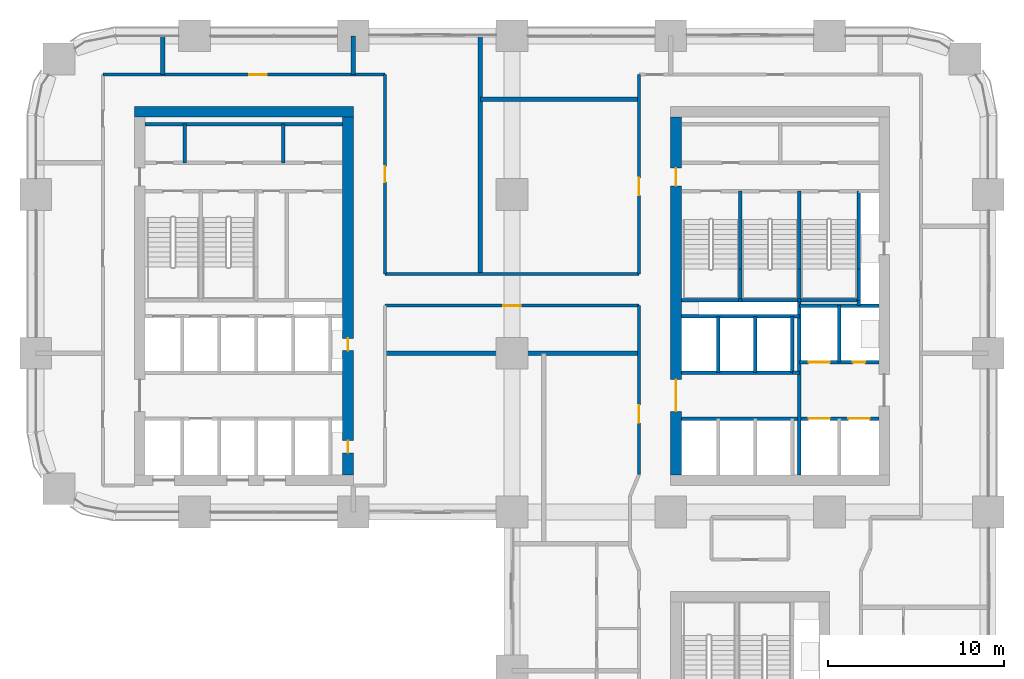
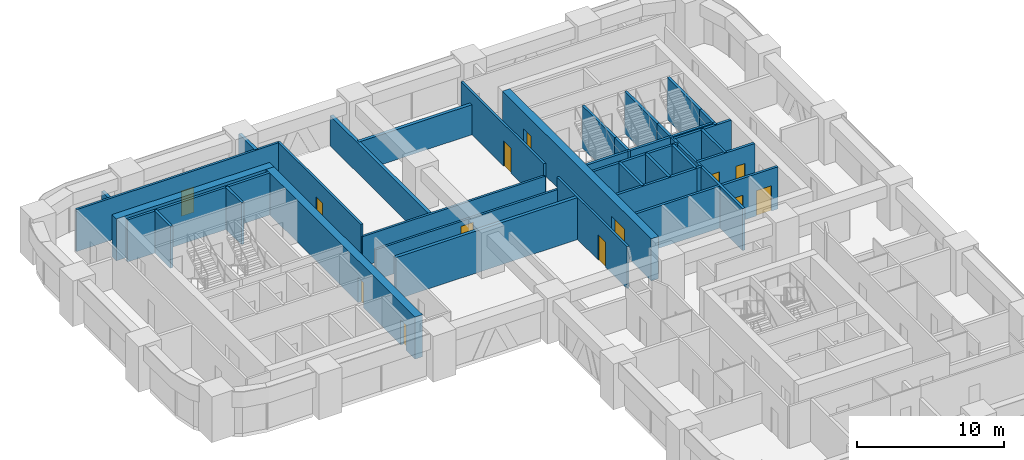
# One storey, part 16 of 24: 40 walls, 13 doors, 13 openings.
"""IFC4 building model written with IfcOpenShell, lengths in metres."""

from ifc_helpers import new_model, si_unit, direction, frame, frame_2d, origin, place, context, subcontext, project, spatial, rectangle, extrude, material, layer, layer_set, type_object, element, fill, save


model = new_model("IFC4")

# Units and contexts
model_context = context("Model", 3, precision=1e-05, world=origin(), true_north=direction((0.0, 1.0)))
body_context = subcontext(model_context, "Body", "Model", "MODEL_VIEW")
ifc_project = project(units=[si_unit("LENGTHUNIT", "METRE"), si_unit("AREAUNIT", "SQUARE_METRE"), si_unit("VOLUMEUNIT", "CUBIC_METRE"), si_unit("PLANEANGLEUNIT", "RADIAN"), si_unit("MASSUNIT", "GRAM", prefix="KILO")], contexts=[model_context])

# Site, building, storey
site_placement = place(None, origin())
site = spatial("IfcSite", under=ifc_project, at=site_placement, CompositionType="ELEMENT")
building_placement = place(site_placement, origin())
building = spatial("IfcBuilding", under=site, at=building_placement, Name="Tessera Arch", CompositionType="ELEMENT")
storey_placement = place(building_placement, frame((0.0, 0.0, 112.0)))
storey = spatial("IfcBuildingStorey", under=building, at=storey_placement, Name="L26", CompositionType="ELEMENT", Elevation=112.0)

# Walls
ifc_material_1 = material(Name="Gypsum board on steel stud", Category="steel")
ifc_layer_1 = layer(ifc_material_1, 0.125)
ifc_layer_set_1 = layer_set([ifc_layer_1], Name="Core partition 125 EI 60")
wall_type_1 = type_object("IfcWallType", Name="Core partition 125 EI 60", PredefinedType="PARTITIONING", material=ifc_layer_set_1)
wall_1_placement = place(storey_placement, frame((42.89990234375, 34.89990234375, 0.0), z_axis=(0.0, 0.0, 1.0), x_axis=(1.0, 0.0, 0.0)))
element("IfcWall", 1, at=wall_1_placement, inside=storey, type_object=wall_type_1, Name="L26 C1 partition wall 19", PredefinedType="PARTITIONING", context=body_context, shape_type="SweptSolid", body=[
    extrude(rectangle(XDim=0.400146484375, YDim=0.199951171875, at=frame_2d((0.2001953125, 0.0))), origin(), (0.0, 0.0, 1.0), 3.5),
])
for number, where, z_axis, x_axis, name in (
    (2, (8.43994140625, 46.800048828125, 0.0), (0.0, 0.0, 1.0), (0.0, 1.0, 0.0), "L26 C2 partition wall 3"),
    (3, (14.0400390625, 46.800048828125, 0.0), (0.0, 0.0, 1.0), (0.0, 1.0, 0.0), "L26 C2 partition wall 12"),
):
    element("IfcWall", number, at=place(storey_placement, frame(where, z_axis=z_axis, x_axis=x_axis)), inside=storey, type_object=wall_type_1, Name=name, PredefinedType="PARTITIONING", context=body_context, shape_type="SweptSolid", body=[
        extrude(rectangle(XDim=2.199951171875, YDim=0.199951171875, at=frame_2d((1.10009765625, 0.0))), origin(), (0.0, 0.0, 1.0), 3.5),
    ])
wall_2_placement = place(storey_placement, frame((6.199951171875, 49.0, 0.0), z_axis=(0.0, 0.0, 1.0), x_axis=(1.0, 0.0, 0.0)))
element("IfcWall", 4, at=wall_2_placement, inside=storey, type_object=wall_type_1, Name="L26 C2 partition wall 28", PredefinedType="PARTITIONING", context=body_context, shape_type="SweptSolid", body=[
    extrude(rectangle(XDim=11.199951171875, YDim=0.199951171875, at=frame_2d((5.60009765625, 0.0))), origin(), (0.0, 0.0, 1.0), 3.5),
])

# Wall, openings, doors
ifc_material_2 = material(Name="Concrete C70/85", Category="concrete")
ifc_layer_2 = layer(ifc_material_2, 0.60009765625)
ifc_layer_set_2 = layer_set([ifc_layer_2], Name="Core shell wall 600 C70-85")
wall_type_2 = type_object("IfcWallType", Name="Core shell wall 600 C70-85", PredefinedType="SHEAR", material=ifc_layer_set_2)
wall_3_placement = place(storey_placement, frame((36.300048828125, 29.10009765625, 0.0), z_axis=(0.0, 0.0, 1.0), x_axis=(0.0, 1.0, 0.0)))
wall_3 = element("IfcWall", 5, at=wall_3_placement, inside=storey, type_object=wall_type_2, Name="L26 C1 core wall W", PredefinedType="SHEAR", context=body_context, shape_type="SweptSolid", body=[
    extrude(rectangle(XDim=20.2998046875, YDim=0.60009765625, at=frame_2d((10.14990234375, 0.0))), origin(), (0.0, 0.0, 1.0), 3.5),
])
opening_1_placement = place(wall_3_placement, frame((3.60009765625, 0.0, 0.0)))
opening_1 = element("IfcOpeningElement", 6, at=opening_1_placement, cuts=wall_3, Name="Opening L26-C04", PredefinedType="OPENING", context=body_context, shape_type="SweptSolid", body=[
    extrude(rectangle(XDim=1.800048828125, YDim=2.10009765625, at=frame_2d((0.89990234375, 1.050048828125))), frame((0.0, 0.31005859375, 0.0), z_axis=(0.0, -1.0, 0.0), x_axis=(1.0, 0.0, 0.0)), (0.0, 0.0, 1.0), 0.6201171875),
])
opening_2_placement = place(wall_3_placement, frame((16.39990234375, 0.0, 0.0)))
opening_2 = element("IfcOpeningElement", 7, at=opening_2_placement, cuts=wall_3, Name="Opening L26-C11", PredefinedType="OPENING", context=body_context, shape_type="SweptSolid", body=[
    extrude(rectangle(XDim=1.0, YDim=2.10009765625, at=frame_2d((0.5, 1.050048828125))), frame((0.0, 0.31005859375, 0.0), z_axis=(0.0, -1.0, 0.0), x_axis=(1.0, 0.0, 0.0)), (0.0, 0.0, 1.0), 0.6201171875),
])
ifc_material_3 = material(Name="Steel door leaf", Category="steel")
door_type_1 = type_object("IfcDoorType", Name="Corridor door FD60 1000 x 2100", OperationType="SINGLE_SWING_LEFT", PredefinedType="DOOR", material=ifc_material_3)
door_1_placement = place(opening_2_placement, origin())
door_1 = element("IfcDoor", 8, at=door_1_placement, inside=storey, type_object=door_type_1, Name="L26 C1 door 11 C11 type D12", OperationType="SINGLE_SWING_RIGHT", OverallHeight=2.10009765625, OverallWidth=1.0, PredefinedType="DOOR", context=body_context, shape_type="SweptSolid", body=[
    extrude(rectangle(XDim=1.0, YDim=2.10009765625, at=frame_2d((0.5, 1.050048828125))), frame((0.0, 0.02490234375, 0.0), z_axis=(0.0, -1.0, 0.0), x_axis=(1.0, 0.0, 0.0)), (0.0, 0.0, 1.0), 0.050048828125),
])
fill(opening_2, door_1)
ifc_material_4 = material(Name="Glazed steel door leaf", Category="steel")
door_type_2 = type_object("IfcDoorType", Name="Lobby double door FD30S 1800 x 2100", OperationType="DOUBLE_DOOR_SINGLE_SWING", PredefinedType="DOOR", material=ifc_material_4)
door_2_placement = place(opening_1_placement, origin())
door_2 = element("IfcDoor", 9, at=door_2_placement, inside=storey, type_object=door_type_2, Name="L26 C1 door 4 C04 type D06", OperationType="DOUBLE_DOOR_SINGLE_SWING", OverallHeight=2.10009765625, OverallWidth=1.800048828125, PredefinedType="DOOR", context=body_context, shape_type="SweptSolid", body=[
    extrude(rectangle(XDim=1.800048828125, YDim=2.10009765625, at=frame_2d((0.89990234375, 1.050048828125))), frame((0.0, 0.02490234375, 0.0), z_axis=(0.0, -1.0, 0.0), x_axis=(1.0, 0.0, 0.0)), (0.0, 0.0, 1.0), 0.050048828125),
])
fill(opening_1, door_2)

# Wall
wall_4_placement = place(storey_placement, frame((5.60009765625, 49.699951171875, 0.0), z_axis=(0.0, 0.0, 1.0), x_axis=(1.0, 0.0, 0.0)))
element("IfcWall", 10, at=wall_4_placement, inside=storey, type_object=wall_type_2, Name="L26 C2 core wall N", PredefinedType="SHEAR", context=body_context, shape_type="SweptSolid", body=[
    extrude(rectangle(XDim=12.39990234375, YDim=0.60009765625, at=frame_2d((6.199951171875, 0.0))), origin(), (0.0, 0.0, 1.0), 3.5),
])

# Wall, openings, doors
wall_5_placement = place(storey_placement, frame((17.699951171875, 29.10009765625, 0.0), z_axis=(0.0, 0.0, 1.0), x_axis=(0.0, 1.0, 0.0)))
wall_5 = element("IfcWall", 11, at=wall_5_placement, inside=storey, type_object=wall_type_2, Name="L26 C2 core wall E", PredefinedType="SHEAR", context=body_context, shape_type="SweptSolid", body=[
    extrude(rectangle(XDim=20.2998046875, YDim=0.60009765625, at=frame_2d((10.14990234375, 0.0))), origin(), (0.0, 0.0, 1.0), 3.5),
])
opening_3_placement = place(wall_5_placement, frame((1.25, 0.0, 0.0)))
opening_3 = element("IfcOpeningElement", 12, at=opening_3_placement, cuts=wall_5, Name="Opening L26-C22", PredefinedType="OPENING", context=body_context, shape_type="SweptSolid", body=[
    extrude(rectangle(XDim=0.699951171875, YDim=2.10009765625, at=frame_2d((0.35009765625, 1.050048828125))), frame((0.0, 0.31005859375, 0.0), z_axis=(0.0, -1.0, 0.0), x_axis=(1.0, 0.0, 0.0)), (0.0, 0.0, 1.0), 0.6201171875),
])
opening_4_placement = place(wall_5_placement, frame((7.050048828125, 0.0, 0.0)))
opening_4 = element("IfcOpeningElement", 13, at=opening_4_placement, cuts=wall_5, Name="Opening L26-C23", PredefinedType="OPENING", context=body_context, shape_type="SweptSolid", body=[
    extrude(rectangle(XDim=0.699951171875, YDim=2.10009765625, at=frame_2d((0.35009765625, 1.050048828125))), frame((0.0, 0.31005859375, 0.0), z_axis=(0.0, -1.0, 0.0), x_axis=(1.0, 0.0, 0.0)), (0.0, 0.0, 1.0), 0.6201171875),
])
ifc_material_5 = material(Name="Steel door leaf", Category="steel")
door_type_3 = type_object("IfcDoorType", Name="Service shaft door FD60 700 x 2100", OperationType="SINGLE_SWING_LEFT", PredefinedType="DOOR", material=ifc_material_5)
door_3_placement = place(opening_3_placement, origin())
door_3 = element("IfcDoor", 14, at=door_3_placement, inside=storey, type_object=door_type_3, Name="L26 C2 door 9 C22 type D07", OperationType="SINGLE_SWING_LEFT", OverallHeight=2.10009765625, OverallWidth=0.699951171875, PredefinedType="DOOR", context=body_context, shape_type="SweptSolid", body=[
    extrude(rectangle(XDim=0.699951171875, YDim=2.10009765625, at=frame_2d((0.35009765625, 1.050048828125))), frame((0.0, 0.02490234375, 0.0), z_axis=(0.0, -1.0, 0.0), x_axis=(1.0, 0.0, 0.0)), (0.0, 0.0, 1.0), 0.050048828125),
])
fill(opening_3, door_3)
door_4_placement = place(opening_4_placement, origin())
door_4 = element("IfcDoor", 15, at=door_4_placement, inside=storey, type_object=door_type_3, Name="L26 C2 door 10 C23 type D07", OperationType="SINGLE_SWING_LEFT", OverallHeight=2.10009765625, OverallWidth=0.699951171875, PredefinedType="DOOR", context=body_context, shape_type="SweptSolid", body=[
    extrude(rectangle(XDim=0.699951171875, YDim=2.10009765625, at=frame_2d((0.35009765625, 1.050048828125))), frame((0.0, 0.02490234375, 0.0), z_axis=(0.0, -1.0, 0.0), x_axis=(1.0, 0.0, 0.0)), (0.0, 0.0, 1.0), 0.050048828125),
])
fill(opening_4, door_4)

# Wall, opening, door
ifc_material_6 = material(Name="Gypsum board on deep steel stud with mineral wool", Category="steel")
ifc_layer_3 = layer(ifc_material_6, 0.175048828125)
ifc_layer_set_3 = layer_set([ifc_layer_3], Name="Corridor wall 175 EI 60")
wall_type_3 = type_object("IfcWallType", Name="Corridor wall 175 EI 60", PredefinedType="PARTITIONING", material=ifc_layer_set_3)
wall_6_placement = place(storey_placement, frame((19.800048828125, 38.699951171875, 0.0), z_axis=(0.0, 0.0, 1.0), x_axis=(1.0, 0.0, 0.0)))
wall_6 = element("IfcWall", 16, at=wall_6_placement, inside=storey, type_object=wall_type_3, Name="L26 partition 7", PredefinedType="PARTITIONING", context=body_context, shape_type="SweptSolid", body=[
    extrude(rectangle(XDim=14.39990234375, YDim=0.175048828125, at=frame_2d((7.199951171875, 0.0))), origin(), (0.0, 0.0, 1.0), 2.5),
])
opening_5_placement = place(wall_6_placement, frame((6.699951171875, 0.0, 0.0)))
opening_5 = element("IfcOpeningElement", 17, at=opening_5_placement, cuts=wall_6, Name="Opening L26-D028", PredefinedType="OPENING", context=body_context, shape_type="SweptSolid", body=[
    extrude(rectangle(XDim=1.0, YDim=2.10009765625, at=frame_2d((0.5, 1.050048828125))), frame((0.0, 0.097412109375, 0.0), z_axis=(0.0, -1.0, 0.0), x_axis=(1.0, 0.0, 0.0)), (0.0, 0.0, 1.0), 0.195068359375),
])
ifc_material_7 = material(Name="Fire-rated door leaf")
door_type_4 = type_object("IfcDoorType", Name="Entrance door FD30S 1000 x 2100", OperationType="SINGLE_SWING_LEFT", PredefinedType="DOOR", material=ifc_material_7)
door_5_placement = place(opening_5_placement, origin())
door_5 = element("IfcDoor", 18, at=door_5_placement, inside=storey, type_object=door_type_4, Name="L26 door D028 type D03", OperationType="SINGLE_SWING_LEFT", OverallHeight=2.10009765625, OverallWidth=1.0, PredefinedType="DOOR", context=body_context, shape_type="SweptSolid", body=[
    extrude(rectangle(XDim=1.0, YDim=2.10009765625, at=frame_2d((0.5, 1.050048828125))), frame((0.0, 0.02490234375, 0.0), z_axis=(0.0, -1.0, 0.0), x_axis=(1.0, 0.0, 0.0)), (0.0, 0.0, 1.0), 0.050048828125),
])
fill(opening_5, door_5)

# Wall
wall_7_placement = place(storey_placement, frame((19.800048828125, 40.5, 0.0), z_axis=(0.0, 0.0, 1.0), x_axis=(1.0, 0.0, 0.0)))
element("IfcWall", 19, at=wall_7_placement, inside=storey, type_object=wall_type_3, Name="L26 partition 8", PredefinedType="PARTITIONING", context=body_context, shape_type="SweptSolid", body=[
    extrude(rectangle(XDim=14.39990234375, YDim=0.175048828125, at=frame_2d((7.199951171875, 0.0))), origin(), (0.0, 0.0, 1.0), 2.5),
])

# Wall, opening, door
wall_8_placement = place(storey_placement, frame((3.800048828125, 51.800048828125, 0.0), z_axis=(0.0, 0.0, 1.0), x_axis=(1.0, 0.0, 0.0)))
wall_8 = element("IfcWall", 20, at=wall_8_placement, inside=storey, type_object=wall_type_3, Name="L26 partition 9", PredefinedType="PARTITIONING", context=body_context, shape_type="SweptSolid", body=[
    extrude(rectangle(XDim=16.0, YDim=0.175048828125, at=frame_2d((8.0, 0.0))), origin(), (0.0, 0.0, 1.0), 3.5),
])
opening_6_placement = place(wall_8_placement, frame((8.297607421875, 0.0, 0.0)))
opening_6 = element("IfcOpeningElement", 21, at=opening_6_placement, cuts=wall_8, Name="Opening L26-D036", PredefinedType="OPENING", context=body_context, shape_type="SweptSolid", body=[
    extrude(rectangle(XDim=1.0, YDim=2.10009765625, at=frame_2d((0.5, 1.050048828125))), frame((0.0, 0.097412109375, 0.0), z_axis=(0.0, -1.0, 0.0), x_axis=(1.0, 0.0, 0.0)), (0.0, 0.0, 1.0), 0.195068359375),
])
door_6_placement = place(opening_6_placement, origin())
door_6 = element("IfcDoor", 22, at=door_6_placement, inside=storey, type_object=door_type_4, Name="L26 door D036 type D03", OperationType="SINGLE_SWING_RIGHT", OverallHeight=2.10009765625, OverallWidth=1.0, PredefinedType="DOOR", context=body_context, shape_type="SweptSolid", body=[
    extrude(rectangle(XDim=1.0, YDim=2.10009765625, at=frame_2d((0.5, 1.050048828125))), frame((0.0, 0.02490234375, 0.0), z_axis=(0.0, -1.0, 0.0), x_axis=(1.0, 0.0, 0.0)), (0.0, 0.0, 1.0), 0.050048828125),
])
fill(opening_6, door_6)

wall_9_placement = place(storey_placement, frame((19.800048828125, 40.5, 0.0), z_axis=(0.0, 0.0, 1.0), x_axis=(0.0, 1.0, 0.0)))
wall_9 = element("IfcWall", 23, at=wall_9_placement, inside=storey, type_object=wall_type_3, Name="L26 partition 13", PredefinedType="PARTITIONING", context=body_context, shape_type="SweptSolid", body=[
    extrude(rectangle(XDim=11.300048828125, YDim=0.175048828125, at=frame_2d((5.64990234375, 0.0))), origin(), (0.0, 0.0, 1.0), 3.5),
])
opening_7_placement = place(wall_9_placement, frame((5.199951171875, 0.0, 0.0)))
opening_7 = element("IfcOpeningElement", 24, at=opening_7_placement, cuts=wall_9, Name="Opening L26-D032", PredefinedType="OPENING", context=body_context, shape_type="SweptSolid", body=[
    extrude(rectangle(XDim=0.89990234375, YDim=2.10009765625, at=frame_2d((0.449951171875, 1.050048828125))), frame((0.0, 0.097412109375, 0.0), z_axis=(0.0, -1.0, 0.0), x_axis=(1.0, 0.0, 0.0)), (0.0, 0.0, 1.0), 0.195068359375),
])
ifc_material_8 = material(Name="Timber door leaf", Category="wood")
door_type_5 = type_object("IfcDoorType", Name="Room door 900 x 2100", OperationType="SINGLE_SWING_LEFT", PredefinedType="DOOR", material=ifc_material_8)
door_7_placement = place(opening_7_placement, origin())
door_7 = element("IfcDoor", 25, at=door_7_placement, inside=storey, type_object=door_type_5, Name="L26 door D032 type D01", OperationType="SINGLE_SWING_LEFT", OverallHeight=2.10009765625, OverallWidth=0.89990234375, PredefinedType="DOOR", context=body_context, shape_type="SweptSolid", body=[
    extrude(rectangle(XDim=0.89990234375, YDim=2.10009765625, at=frame_2d((0.449951171875, 1.050048828125))), frame((0.0, 0.02490234375, 0.0), z_axis=(0.0, -1.0, 0.0), x_axis=(1.0, 0.0, 0.0)), (0.0, 0.0, 1.0), 0.050048828125),
])
fill(opening_7, door_7)

wall_10_placement = place(storey_placement, frame((34.199951171875, 29.1201171875, 0.0), z_axis=(0.0, 0.0, 1.0), x_axis=(0.0, 1.0, 0.0)))
wall_10 = element("IfcWall", 26, at=wall_10_placement, inside=storey, type_object=wall_type_3, Name="L26 partition 16", PredefinedType="PARTITIONING", context=body_context, shape_type="SweptSolid", body=[
    extrude(rectangle(XDim=9.579833984375, YDim=0.175048828125, at=frame_2d((4.7900390625, 0.0))), origin(), (0.0, 0.0, 1.0), 3.5),
])
opening_8_placement = place(wall_10_placement, frame((2.93994140625, 0.0, 0.0)))
opening_8 = element("IfcOpeningElement", 27, at=opening_8_placement, cuts=wall_10, Name="Opening L26-D026", PredefinedType="OPENING", context=body_context, shape_type="SweptSolid", body=[
    extrude(rectangle(XDim=1.0, YDim=2.10009765625, at=frame_2d((0.5, 1.050048828125))), frame((0.0, 0.097412109375, 0.0), z_axis=(0.0, -1.0, 0.0), x_axis=(1.0, 0.0, 0.0)), (0.0, 0.0, 1.0), 0.195068359375),
])
door_8_placement = place(opening_8_placement, origin())
door_8 = element("IfcDoor", 28, at=door_8_placement, inside=storey, type_object=door_type_4, Name="L26 door D026 type D03", OperationType="SINGLE_SWING_RIGHT", OverallHeight=2.10009765625, OverallWidth=1.0, PredefinedType="DOOR", context=body_context, shape_type="SweptSolid", body=[
    extrude(rectangle(XDim=1.0, YDim=2.10009765625, at=frame_2d((0.5, 1.050048828125))), frame((0.0, 0.02490234375, 0.0), z_axis=(0.0, -1.0, 0.0), x_axis=(1.0, 0.0, 0.0)), (0.0, 0.0, 1.0), 0.050048828125),
])
fill(opening_8, door_8)

wall_11_placement = place(storey_placement, frame((34.199951171875, 40.5, 0.0), z_axis=(0.0, 0.0, 1.0), x_axis=(0.0, 1.0, 0.0)))
wall_11 = element("IfcWall", 29, at=wall_11_placement, inside=storey, type_object=wall_type_3, Name="L26 partition 17", PredefinedType="PARTITIONING", context=body_context, shape_type="SweptSolid", body=[
    extrude(rectangle(XDim=11.300048828125, YDim=0.175048828125, at=frame_2d((5.64990234375, 0.0))), origin(), (0.0, 0.0, 1.0), 3.5),
])
opening_9_placement = place(wall_11_placement, frame((4.449951171875, 0.0, 0.0)))
opening_9 = element("IfcOpeningElement", 30, at=opening_9_placement, cuts=wall_11, Name="Opening L26-D031", PredefinedType="OPENING", context=body_context, shape_type="SweptSolid", body=[
    extrude(rectangle(XDim=1.0, YDim=2.10009765625, at=frame_2d((0.5, 1.050048828125))), frame((0.0, 0.097412109375, 0.0), z_axis=(0.0, -1.0, 0.0), x_axis=(1.0, 0.0, 0.0)), (0.0, 0.0, 1.0), 0.195068359375),
])
door_9_placement = place(opening_9_placement, origin())
door_9 = element("IfcDoor", 31, at=door_9_placement, inside=storey, type_object=door_type_4, Name="L26 door D031 type D03", OperationType="SINGLE_SWING_LEFT", OverallHeight=2.10009765625, OverallWidth=1.0, PredefinedType="DOOR", context=body_context, shape_type="SweptSolid", body=[
    extrude(rectangle(XDim=1.0, YDim=2.10009765625, at=frame_2d((0.5, 1.050048828125))), frame((0.0, 0.02490234375, 0.0), z_axis=(0.0, -1.0, 0.0), x_axis=(1.0, 0.0, 0.0)), (0.0, 0.0, 1.0), 0.050048828125),
])
fill(opening_9, door_9)

# Walls
ifc_material_9 = material(Name="Double gypsum board on twin steel stud with acoustic mineral wool", Category="steel")
ifc_layer_4 = layer(ifc_material_9, 0.25)
ifc_layer_set_4 = layer_set([ifc_layer_4], Name="Party wall 250 EI 60")
wall_type_4 = type_object("IfcWallType", Name="Party wall 250 EI 60", PredefinedType="PARTITIONING", material=ifc_layer_set_4)
wall_12_placement = place(storey_placement, frame((19.800048828125, 36.0, 0.0), z_axis=(0.0, 0.0, 1.0), x_axis=(1.0, 0.0, 0.0)))
element("IfcWall", 32, at=wall_12_placement, inside=storey, type_object=wall_type_4, Name="L26 partition 38", PredefinedType="PARTITIONING", context=body_context, shape_type="SweptSolid", body=[
    extrude(rectangle(XDim=14.39990234375, YDim=0.25, at=frame_2d((7.199951171875, 0.0))), origin(), (0.0, 0.0, 1.0), 3.5),
])
wall_13_placement = place(storey_placement, frame((25.199951171875, 50.39990234375, 0.0), z_axis=(0.0, 0.0, 1.0), x_axis=(1.0, 0.0, 0.0)))
element("IfcWall", 33, at=wall_13_placement, inside=storey, type_object=wall_type_4, Name="L26 partition 42", PredefinedType="PARTITIONING", context=body_context, shape_type="SweptSolid", body=[
    extrude(rectangle(XDim=9.0, YDim=0.25, at=frame_2d((4.5, 0.0))), origin(), (0.0, 0.0, 1.0), 2.5),
])
wall_14_placement = place(storey_placement, frame((7.195068359375, 51.800048828125, 0.0), z_axis=(0.0, 0.0, 1.0), x_axis=(0.0, 1.0, 0.0)))
element("IfcWall", 34, at=wall_14_placement, inside=storey, type_object=wall_type_4, Name="L26 partition 43", PredefinedType="PARTITIONING", context=body_context, shape_type="SweptSolid", body=[
    extrude(rectangle(XDim=2.199951171875, YDim=0.25, at=frame_2d((1.10009765625, 0.0))), origin(), (0.0, 0.0, 1.0), 2.5),
])
wall_15_placement = place(storey_placement, frame((18.0, 51.800048828125, 0.0), z_axis=(0.0, 0.0, 1.0), x_axis=(0.0, 1.0, 0.0)))
element("IfcWall", 35, at=wall_15_placement, inside=storey, type_object=wall_type_4, Name="L26 partition 45", PredefinedType="PARTITIONING", context=body_context, shape_type="SweptSolid", body=[
    extrude(rectangle(XDim=2.199951171875, YDim=0.25, at=frame_2d((1.10009765625, 0.0))), origin(), (0.0, 0.0, 1.0), 3.5),
])
wall_16_placement = place(storey_placement, frame((25.199951171875, 40.5, 0.0), z_axis=(0.0, 0.0, 1.0), x_axis=(0.0, 1.0, 0.0)))
element("IfcWall", 36, at=wall_16_placement, inside=storey, type_object=wall_type_4, Name="L26 partition 46", PredefinedType="PARTITIONING", context=body_context, shape_type="SweptSolid", body=[
    extrude(rectangle(XDim=13.5, YDim=0.25, at=frame_2d((6.75, 0.0))), origin(), (0.0, 0.0, 1.0), 2.5),
])
ifc_material_10 = material(Name="Concrete C40/50", Category="concrete")
ifc_layer_5 = layer(ifc_material_10, 0.199951171875)
ifc_layer_set_5 = layer_set([ifc_layer_5], Name="Shaft wall 200 EI 120")
wall_type_5 = type_object("IfcWallType", Name="Shaft wall 200 EI 120", PredefinedType="SOLIDWALL", material=ifc_layer_set_5)
for number, where, z_axis, x_axis, name in (
    (37, (38.699951171875, 34.89990234375, 0.0), (0.0, 0.0, 1.0), (0.0, 1.0, 0.0), "L26 C1 shaft wall 2"),
    (38, (40.800048828125, 34.89990234375, 0.0), (0.0, 0.0, 1.0), (0.0, 1.0, 0.0), "L26 C1 shaft wall 6"),
    (39, (42.89990234375, 34.89990234375, 0.0), (0.0, 0.0, 1.0), (0.0, 1.0, 0.0), "L26 C1 shaft wall 9"),
):
    element("IfcWall", number, at=place(storey_placement, frame(where, z_axis=z_axis, x_axis=x_axis)), inside=storey, type_object=wall_type_5, Name=name, PredefinedType="SOLIDWALL", context=body_context, shape_type="SweptSolid", body=[
        extrude(rectangle(XDim=3.2001953125, YDim=0.199951171875, at=frame_2d((1.60009765625, 0.0))), origin(), (0.0, 0.0, 1.0), 3.5),
    ])
wall_17_placement = place(storey_placement, frame((43.300048828125, 29.10009765625, 0.0), z_axis=(0.0, 0.0, 1.0), x_axis=(0.0, 1.0, 0.0)))
element("IfcWall", 40, at=wall_17_placement, inside=storey, type_object=wall_type_5, Name="L26 C1 shaft wall 10", PredefinedType="SOLIDWALL", context=body_context, shape_type="SweptSolid", body=[
    extrude(rectangle(XDim=9.89990234375, YDim=0.199951171875, at=frame_2d((4.949951171875, 0.0))), origin(), (0.0, 0.0, 1.0), 3.5),
])
wall_18_placement = place(storey_placement, frame((45.550048828125, 35.5, 0.0), z_axis=(0.0, 0.0, 1.0), x_axis=(0.0, 1.0, 0.0)))
element("IfcWall", 41, at=wall_18_placement, inside=storey, type_object=wall_type_5, Name="L26 C1 shaft wall 14", PredefinedType="SOLIDWALL", context=body_context, shape_type="SweptSolid", body=[
    extrude(rectangle(XDim=3.199951171875, YDim=0.199951171875, at=frame_2d((1.60009765625, 0.0))), origin(), (0.0, 0.0, 1.0), 3.5),
])
wall_19_placement = place(storey_placement, frame((46.64990234375, 38.699951171875, 0.0), z_axis=(0.0, 0.0, 1.0), x_axis=(0.0, 1.0, 0.0)))
element("IfcWall", 42, at=wall_19_placement, inside=storey, type_object=wall_type_5, Name="L26 C1 shaft wall 15", PredefinedType="SOLIDWALL", context=body_context, shape_type="SweptSolid", body=[
    extrude(rectangle(XDim=0.300048828125, YDim=0.199951171875, at=frame_2d((0.14990234375, 0.0))), origin(), (0.0, 0.0, 1.0), 3.5),
])

# Wall, openings, doors
wall_20_placement = place(storey_placement, frame((36.60009765625, 32.300048828125, 0.0), z_axis=(0.0, 0.0, 1.0), x_axis=(1.0, 0.0, 0.0)))
wall_20 = element("IfcWall", 43, at=wall_20_placement, inside=storey, type_object=wall_type_5, Name="L26 C1 shaft wall 18", PredefinedType="SOLIDWALL", context=body_context, shape_type="SweptSolid", body=[
    extrude(rectangle(XDim=11.199951171875, YDim=0.199951171875, at=frame_2d((5.60009765625, 0.0))), origin(), (0.0, 0.0, 1.0), 3.5),
])
opening_10_placement = place(wall_20_placement, frame((7.22509765625, 0.0, 0.0)))
opening_10 = element("IfcOpeningElement", 44, at=opening_10_placement, cuts=wall_20, Name="Opening L26-C01", PredefinedType="OPENING", context=body_context, shape_type="SweptSolid", body=[
    extrude(rectangle(XDim=1.199951171875, YDim=2.10009765625, at=frame_2d((0.60009765625, 1.050048828125))), frame((0.0, 0.10986328125, 0.0), z_axis=(0.0, -1.0, 0.0), x_axis=(1.0, 0.0, 0.0)), (0.0, 0.0, 1.0), 0.219970703125),
])
opening_11_placement = place(wall_20_placement, frame((9.47509765625, 0.0, 0.0)))
opening_11 = element("IfcOpeningElement", 45, at=opening_11_placement, cuts=wall_20, Name="Opening L26-C02", PredefinedType="OPENING", context=body_context, shape_type="SweptSolid", body=[
    extrude(rectangle(XDim=1.199951171875, YDim=2.10009765625, at=frame_2d((0.60009765625, 1.050048828125))), frame((0.0, 0.10986328125, 0.0), z_axis=(0.0, -1.0, 0.0), x_axis=(1.0, 0.0, 0.0)), (0.0, 0.0, 1.0), 0.219970703125),
])
ifc_material_11 = material(Name="Stainless steel AISI 304", Category="steel")
door_type_6 = type_object("IfcDoorType", Name="Sliding landing door 1200 x 2100", OperationType="SLIDING_TO_LEFT", PredefinedType="DOOR", material=ifc_material_11)
door_10_placement = place(opening_10_placement, origin())
door_10 = element("IfcDoor", 46, at=door_10_placement, inside=storey, type_object=door_type_6, Name="L26 FF1 lift landing door C01 type LD", OperationType="SLIDING_TO_LEFT", OverallHeight=2.10009765625, OverallWidth=1.199951171875, PredefinedType="DOOR", context=body_context, shape_type="SweptSolid", body=[
    extrude(rectangle(XDim=1.199951171875, YDim=2.10009765625, at=frame_2d((0.60009765625, 1.050048828125))), frame((0.0, 0.02490234375, 0.0), z_axis=(0.0, -1.0, 0.0), x_axis=(1.0, 0.0, 0.0)), (0.0, 0.0, 1.0), 0.050048828125),
])
fill(opening_10, door_10)
door_11_placement = place(opening_11_placement, origin())
door_11 = element("IfcDoor", 47, at=door_11_placement, inside=storey, type_object=door_type_6, Name="L26 FF2 lift landing door C02 type LD", OperationType="SLIDING_TO_LEFT", OverallHeight=2.10009765625, OverallWidth=1.199951171875, PredefinedType="DOOR", context=body_context, shape_type="SweptSolid", body=[
    extrude(rectangle(XDim=1.199951171875, YDim=2.10009765625, at=frame_2d((0.60009765625, 1.050048828125))), frame((0.0, 0.02490234375, 0.0), z_axis=(0.0, -1.0, 0.0), x_axis=(1.0, 0.0, 0.0)), (0.0, 0.0, 1.0), 0.050048828125),
])
fill(opening_11, door_11)

# Wall
wall_21_placement = place(storey_placement, frame((36.60009765625, 34.89990234375, 0.0), z_axis=(0.0, 0.0, 1.0), x_axis=(1.0, 0.0, 0.0)))
element("IfcWall", 48, at=wall_21_placement, inside=storey, type_object=wall_type_5, Name="L26 C1 shaft wall 20", PredefinedType="SOLIDWALL", context=body_context, shape_type="SweptSolid", body=[
    extrude(rectangle(XDim=6.2998046875, YDim=0.199951171875, at=frame_2d((3.14990234375, 0.0))), origin(), (0.0, 0.0, 1.0), 3.5),
])

# Wall, openings, doors
wall_22_placement = place(storey_placement, frame((43.300048828125, 35.5, 0.0), z_axis=(0.0, 0.0, 1.0), x_axis=(1.0, 0.0, 0.0)))
wall_22 = element("IfcWall", 49, at=wall_22_placement, inside=storey, type_object=wall_type_5, Name="L26 C1 shaft wall 21", PredefinedType="SOLIDWALL", context=body_context, shape_type="SweptSolid", body=[
    extrude(rectangle(XDim=4.5, YDim=0.199951171875, at=frame_2d((2.25, 0.0))), origin(), (0.0, 0.0, 1.0), 3.5),
])
opening_12_placement = place(wall_22_placement, frame((0.52490234375, 0.0, 0.0)))
opening_12 = element("IfcOpeningElement", 50, at=opening_12_placement, cuts=wall_22, Name="Opening L26-C03", PredefinedType="OPENING", context=body_context, shape_type="SweptSolid", body=[
    extrude(rectangle(XDim=1.199951171875, YDim=2.10009765625, at=frame_2d((0.60009765625, 1.050048828125))), frame((0.0, 0.10986328125, 0.0), z_axis=(0.0, -1.0, 0.0), x_axis=(1.0, 0.0, 0.0)), (0.0, 0.0, 1.0), 0.219970703125),
])
opening_13_placement = place(wall_22_placement, frame((3.02490234375, 0.0, 0.0)))
opening_13 = element("IfcOpeningElement", 51, at=opening_13_placement, cuts=wall_22, Name="Opening L26-C10", PredefinedType="OPENING", context=body_context, shape_type="SweptSolid", body=[
    extrude(rectangle(XDim=0.699951171875, YDim=2.10009765625, at=frame_2d((0.35009765625, 1.050048828125))), frame((0.0, 0.10986328125, 0.0), z_axis=(0.0, -1.0, 0.0), x_axis=(1.0, 0.0, 0.0)), (0.0, 0.0, 1.0), 0.219970703125),
])
door_12_placement = place(opening_13_placement, origin())
door_12 = element("IfcDoor", 52, at=door_12_placement, inside=storey, type_object=door_type_3, Name="L26 C1 door 10 C10 type D07", OperationType="SINGLE_SWING_RIGHT", OverallHeight=2.10009765625, OverallWidth=0.699951171875, PredefinedType="DOOR", context=body_context, shape_type="SweptSolid", body=[
    extrude(rectangle(XDim=0.699951171875, YDim=2.10009765625, at=frame_2d((0.35009765625, 1.050048828125))), frame((0.0, 0.02490234375, 0.0), z_axis=(0.0, -1.0, 0.0), x_axis=(1.0, 0.0, 0.0)), (0.0, 0.0, 1.0), 0.050048828125),
])
fill(opening_13, door_12)
door_13_placement = place(opening_12_placement, origin())
door_13 = element("IfcDoor", 53, at=door_13_placement, inside=storey, type_object=door_type_6, Name="L26 SV2 lift landing door C03 type LD", OperationType="SLIDING_TO_LEFT", OverallHeight=2.10009765625, OverallWidth=1.199951171875, PredefinedType="DOOR", context=body_context, shape_type="SweptSolid", body=[
    extrude(rectangle(XDim=1.199951171875, YDim=2.10009765625, at=frame_2d((0.60009765625, 1.050048828125))), frame((0.0, 0.02490234375, 0.0), z_axis=(0.0, -1.0, 0.0), x_axis=(1.0, 0.0, 0.0)), (0.0, 0.0, 1.0), 0.050048828125),
])
fill(opening_12, door_13)

# Walls
wall_23_placement = place(storey_placement, frame((36.60009765625, 38.10009765625, 0.0), z_axis=(0.0, 0.0, 1.0), x_axis=(1.0, 0.0, 0.0)))
element("IfcWall", 54, at=wall_23_placement, inside=storey, type_object=wall_type_5, Name="L26 C1 shaft wall 22", PredefinedType="SOLIDWALL", context=body_context, shape_type="SweptSolid", body=[
    extrude(rectangle(XDim=6.699951171875, YDim=0.199951171875, at=frame_2d((3.35009765625, 0.0))), origin(), (0.0, 0.0, 1.0), 3.5),
])
wall_24_placement = place(storey_placement, frame((43.300048828125, 38.699951171875, 0.0), z_axis=(0.0, 0.0, 1.0), x_axis=(1.0, 0.0, 0.0)))
element("IfcWall", 55, at=wall_24_placement, inside=storey, type_object=wall_type_5, Name="L26 C1 shaft wall 23", PredefinedType="SOLIDWALL", context=body_context, shape_type="SweptSolid", body=[
    extrude(rectangle(XDim=4.5, YDim=0.199951171875, at=frame_2d((2.25, 0.0))), origin(), (0.0, 0.0, 1.0), 3.5),
])
ifc_material_12 = material(Name="Concrete C40/50", Category="concrete")
ifc_layer_6 = layer(ifc_material_12, 0.199951171875)
ifc_layer_set_6 = layer_set([ifc_layer_6], Name="Stair well wall 200 REI 180")
wall_type_6 = type_object("IfcWallType", Name="Stair well wall 200 REI 180", PredefinedType="SOLIDWALL", material=ifc_layer_set_6)
wall_25_placement = place(storey_placement, frame((39.949951171875, 39.0, 0.0), z_axis=(0.0, 0.0, 1.0), x_axis=(0.0, 1.0, 0.0)))
element("IfcWall", 56, at=wall_25_placement, inside=storey, type_object=wall_type_6, Name="L26 C1 shaft wall 3", PredefinedType="SOLIDWALL", context=body_context, shape_type="SweptSolid", body=[
    extrude(rectangle(XDim=1.780029296875, YDim=0.199951171875, at=frame_2d((0.89013671875, 0.0))), origin(), (0.0, 0.0, 1.0), 3.5),
])
wall_26_placement = place(storey_placement, frame((39.949951171875, 40.780029296875, 0.0), z_axis=(0.0, 0.0, 1.0), x_axis=(0.0, 1.0, 0.0)))
element("IfcWall", 57, at=wall_26_placement, inside=storey, type_object=wall_type_6, Name="L26 C1 shaft wall 4", PredefinedType="SOLIDWALL", context=body_context, shape_type="SweptSolid", body=[
    extrude(rectangle(XDim=4.419921875, YDim=0.199951171875, at=frame_2d((2.2099609375, 0.0))), origin(), (0.0, 0.0, 1.0), 3.5),
])
wall_27_placement = place(storey_placement, frame((43.300048828125, 39.0, 0.0), z_axis=(0.0, 0.0, 1.0), x_axis=(0.0, 1.0, 0.0)))
element("IfcWall", 58, at=wall_27_placement, inside=storey, type_object=wall_type_6, Name="L26 C1 shaft wall 11", PredefinedType="SOLIDWALL", context=body_context, shape_type="SweptSolid", body=[
    extrude(rectangle(XDim=1.780029296875, YDim=0.199951171875, at=frame_2d((0.89013671875, 0.0))), origin(), (0.0, 0.0, 1.0), 3.5),
])
wall_28_placement = place(storey_placement, frame((43.300048828125, 40.780029296875, 0.0), z_axis=(0.0, 0.0, 1.0), x_axis=(0.0, 1.0, 0.0)))
element("IfcWall", 59, at=wall_28_placement, inside=storey, type_object=wall_type_6, Name="L26 C1 shaft wall 12", PredefinedType="SOLIDWALL", context=body_context, shape_type="SweptSolid", body=[
    extrude(rectangle(XDim=4.419921875, YDim=0.199951171875, at=frame_2d((2.2099609375, 0.0))), origin(), (0.0, 0.0, 1.0), 3.5),
])
wall_29_placement = place(storey_placement, frame((46.64990234375, 39.0, 0.0), z_axis=(0.0, 0.0, 1.0), x_axis=(0.0, 1.0, 0.0)))
element("IfcWall", 60, at=wall_29_placement, inside=storey, type_object=wall_type_6, Name="L26 C1 shaft wall 16", PredefinedType="SOLIDWALL", context=body_context, shape_type="SweptSolid", body=[
    extrude(rectangle(XDim=1.780029296875, YDim=0.199951171875, at=frame_2d((0.89013671875, 0.0))), origin(), (0.0, 0.0, 1.0), 3.5),
])
wall_30_placement = place(storey_placement, frame((46.64990234375, 40.780029296875, 0.0), z_axis=(0.0, 0.0, 1.0), x_axis=(0.0, 1.0, 0.0)))
element("IfcWall", 61, at=wall_30_placement, inside=storey, type_object=wall_type_6, Name="L26 C1 shaft wall 17", PredefinedType="SOLIDWALL", context=body_context, shape_type="SweptSolid", body=[
    extrude(rectangle(XDim=4.419921875, YDim=0.199951171875, at=frame_2d((2.2099609375, 0.0))), origin(), (0.0, 0.0, 1.0), 3.5),
])
wall_31_placement = place(storey_placement, frame((36.60009765625, 39.0, 0.0), z_axis=(0.0, 0.0, 1.0), x_axis=(1.0, 0.0, 0.0)))
element("IfcWall", 62, at=wall_31_placement, inside=storey, type_object=wall_type_6, Name="L26 C1 shaft wall 24", PredefinedType="SOLIDWALL", context=body_context, shape_type="SweptSolid", body=[
    extrude(rectangle(XDim=3.25, YDim=0.199951171875, at=frame_2d((1.625, 0.0))), origin(), (0.0, 0.0, 1.0), 3.5),
])
wall_32_placement = place(storey_placement, frame((39.85009765625, 39.0, 0.0), z_axis=(0.0, 0.0, 1.0), x_axis=(1.0, 0.0, 0.0)))
element("IfcWall", 63, at=wall_32_placement, inside=storey, type_object=wall_type_6, Name="L26 C1 shaft wall 25", PredefinedType="SOLIDWALL", context=body_context, shape_type="SweptSolid", body=[
    extrude(rectangle(XDim=0.199951171875, YDim=0.199951171875, at=frame_2d((0.10009765625, 0.0))), origin(), (0.0, 0.0, 1.0), 3.5),
])
wall_33_placement = place(storey_placement, frame((40.050048828125, 39.0, 0.0), z_axis=(0.0, 0.0, 1.0), x_axis=(1.0, 0.0, 0.0)))
element("IfcWall", 64, at=wall_33_placement, inside=storey, type_object=wall_type_6, Name="L26 C1 shaft wall 26", PredefinedType="SOLIDWALL", context=body_context, shape_type="SweptSolid", body=[
    extrude(rectangle(XDim=3.14990234375, YDim=0.199951171875, at=frame_2d((1.574951171875, 0.0))), origin(), (0.0, 0.0, 1.0), 3.5),
])
wall_34_placement = place(storey_placement, frame((43.199951171875, 39.0, 0.0), z_axis=(0.0, 0.0, 1.0), x_axis=(1.0, 0.0, 0.0)))
element("IfcWall", 65, at=wall_34_placement, inside=storey, type_object=wall_type_6, Name="L26 C1 shaft wall 27", PredefinedType="SOLIDWALL", context=body_context, shape_type="SweptSolid", body=[
    extrude(rectangle(XDim=0.199951171875, YDim=0.199951171875, at=frame_2d((0.10009765625, 0.0))), origin(), (0.0, 0.0, 1.0), 3.5),
])
wall_35_placement = place(storey_placement, frame((43.39990234375, 39.0, 0.0), z_axis=(0.0, 0.0, 1.0), x_axis=(1.0, 0.0, 0.0)))
element("IfcWall", 66, at=wall_35_placement, inside=storey, type_object=wall_type_6, Name="L26 C1 shaft wall 28", PredefinedType="SOLIDWALL", context=body_context, shape_type="SweptSolid", body=[
    extrude(rectangle(XDim=3.25, YDim=0.199951171875, at=frame_2d((1.625, 0.0))), origin(), (0.0, 0.0, 1.0), 3.5),
])

save(model, "model.ifc")
